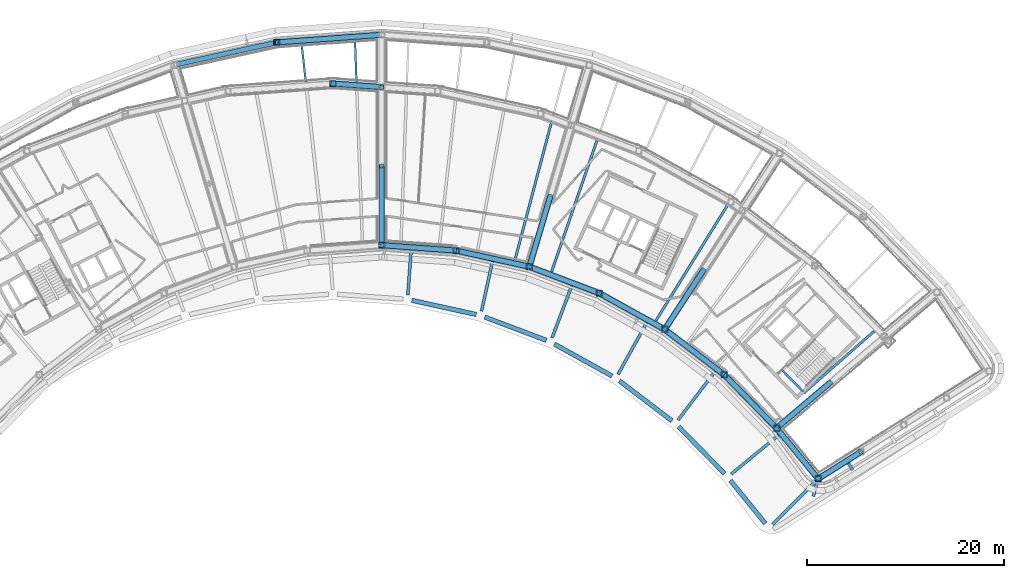
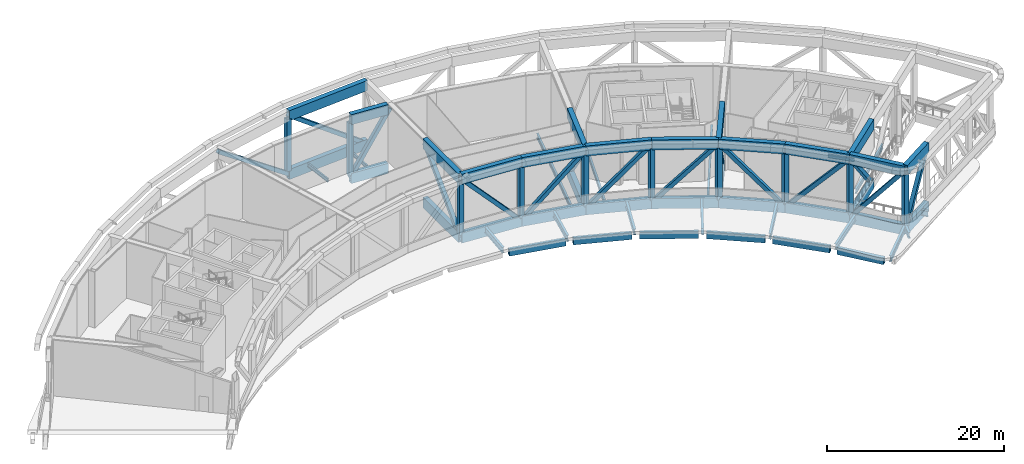
# One storey, part 3 of 27: 50 beams, 25 members.
"""IFC4 building model written with IfcOpenShell, lengths in metres."""

from ifc_helpers import new_model, si_unit, direction, frame, origin, origin_2d, place, context, subcontext, project, spatial, hollow_rectangle, i_section, extrude, material, material_profile, profile_set, type_object, element, save


model = new_model("IFC4")

# Units and contexts
model_context = context("Model", 3, precision=1e-05, world=origin(), true_north=direction((0.0, 1.0)))
body_context = subcontext(model_context, "Body", "Model", "MODEL_VIEW")
ifc_project = project(units=[si_unit("LENGTHUNIT", "METRE"), si_unit("AREAUNIT", "SQUARE_METRE"), si_unit("VOLUMEUNIT", "CUBIC_METRE"), si_unit("PLANEANGLEUNIT", "RADIAN"), si_unit("MASSUNIT", "GRAM", prefix="KILO")], contexts=[model_context])

# Site, building, storey
site_placement = place(None, origin())
site = spatial("IfcSite", under=ifc_project, at=site_placement, CompositionType="ELEMENT")
building_placement = place(site_placement, origin())
building = spatial("IfcBuilding", under=site, at=building_placement, Name="Tuul Gate Civic Tower", CompositionType="ELEMENT")
storey_placement = place(building_placement, frame((0.0, 0.0, 201.5)))
storey = spatial("IfcBuildingStorey", under=building, at=storey_placement, Name="Wind floor 1", CompositionType="ELEMENT", Elevation=201.5)

# Beams
ifc_material_1 = material(Name="Steel S355", Category="steel")
ifc_material_profile_1 = material_profile(ifc_material_1, i_section(OverallWidth=0.199951171875, OverallDepth=0.5, WebThickness=0.010009765625, FlangeThickness=0.01611328125, at=origin_2d()), Name="PG500x200x10x16")
ifc_profile_set_1 = profile_set([ifc_material_profile_1], Name="Steel S355")
beam_type_1 = type_object("IfcBeamType", Name="STR-FLOOR BEAM-PG500x200x10x16", PredefinedType="BEAM", material=ifc_profile_set_1)
beam_1_placement = place(storey_placement, frame((3.38037109375, 13.793701171875, -0.64990234375), z_axis=(-0.03702447859, 0.999314358941, 0.0), x_axis=(-0.999314358941, -0.03702447859, 0.0)))
element("IfcBeam", 1, at=beam_1_placement, inside=storey, type_object=beam_type_1, Name="Floor beam", PredefinedType="BEAM", context=body_context, shape_type="SweptSolid", body=[
    extrude(i_section(OverallWidth=0.199951171875, OverallDepth=0.5, WebThickness=0.010009765625, FlangeThickness=0.01611328125, at=origin_2d()), origin(), (0.0, 0.0, 1.0), 4.226806640625),
])
beam_2_placement = place(storey_placement, frame((-1.763427734375, 13.767333984375, -0.64990234375), z_axis=(-0.110818081723, 0.993840707942, 0.0), x_axis=(-0.993840707942, -0.110818081723, 0.0)))
element("IfcBeam", 2, at=beam_2_placement, inside=storey, type_object=beam_type_1, Name="Floor beam", PredefinedType="BEAM", context=body_context, shape_type="SweptSolid", body=[
    extrude(i_section(OverallWidth=0.199951171875, OverallDepth=0.5, WebThickness=0.010009765625, FlangeThickness=0.01611328125, at=origin_2d()), origin(), (0.0, 0.0, 1.0), 3.8818359375),
])
beam_3_placement = place(storey_placement, frame((46.539306640625, -15.4296875, 3.550048828125), z_axis=(0.700022587404, -0.714120702069, 0.0), x_axis=(0.714120702069, 0.700022587404, 0.0)))
element("IfcBeam", 3, at=beam_3_placement, inside=storey, type_object=beam_type_1, Name="Landing support beam", PredefinedType="BEAM", context=body_context, shape_type="SweptSolid", body=[
    extrude(i_section(OverallWidth=0.199951171875, OverallDepth=0.5, WebThickness=0.010009765625, FlangeThickness=0.01611328125, at=origin_2d()), origin(), (0.0, 0.0, 1.0), 3.099853515625),
])
ifc_material_2 = material(Name="Steel S355", Category="steel")
ifc_material_profile_2 = material_profile(ifc_material_2, i_section(OverallWidth=0.25, OverallDepth=0.64990234375, WebThickness=0.011962890625, FlangeThickness=0.02001953125, at=origin_2d()), Name="PG650x250x12x20")
ifc_profile_set_2 = profile_set([ifc_material_profile_2], Name="Steel S355")
beam_type_2 = type_object("IfcBeamType", Name="STR-FLOOR BEAM-PG650x250x12x20", PredefinedType="BEAM", material=ifc_profile_set_2)
beam_4_placement = place(storey_placement, frame((48.77197265625, -17.7919921875, -0.72509765625), z_axis=(0.752025818727, 0.659133649549, 0.0), x_axis=(-0.659133649549, 0.752025818727, 0.0)))
element("IfcBeam", 4, at=beam_4_placement, inside=storey, type_object=beam_type_2, Name="Floor beam", PredefinedType="BEAM", context=body_context, shape_type="SweptSolid", body=[
    extrude(i_section(OverallWidth=0.25, OverallDepth=0.64990234375, WebThickness=0.011962890625, FlangeThickness=0.02001953125, at=origin_2d()), origin(), (0.0, 0.0, 1.0), 9.503662109375),
])
beam_5_placement = place(storey_placement, frame((33.77587890625, -10.4453125, -0.72509765625), z_axis=(0.527012300617, 0.849857655727, 0.0), x_axis=(-0.849857655727, 0.527012300617, 0.0)))
element("IfcBeam", 5, at=beam_5_placement, inside=storey, type_object=beam_type_2, Name="Floor beam", PredefinedType="BEAM", context=body_context, shape_type="SweptSolid", body=[
    extrude(i_section(OverallWidth=0.25, OverallDepth=0.64990234375, WebThickness=0.011962890625, FlangeThickness=0.02001953125, at=origin_2d()), origin(), (0.0, 0.0, 1.0), 13.887939453125),
])
beam_6_placement = place(storey_placement, frame((23.19384765625, -5.456787109375, -0.72509765625), z_axis=(0.326931957614, 0.945047879787, 0.0), x_axis=(-0.945047879787, 0.326931957614, 0.0)))
element("IfcBeam", 6, at=beam_6_placement, inside=storey, type_object=beam_type_2, Name="Floor beam", PredefinedType="BEAM", context=body_context, shape_type="SweptSolid", body=[
    extrude(i_section(OverallWidth=0.25, OverallDepth=0.64990234375, WebThickness=0.011962890625, FlangeThickness=0.02001953125, at=origin_2d()), origin(), (0.0, 0.0, 1.0), 14.225830078125),
])
beam_7_placement = place(storey_placement, frame((19.465087890625, -4.292724609375, -0.72509765625), z_axis=(0.256154940617, 0.966635736148, 0.0), x_axis=(-0.966635736148, 0.256154940617, 0.0)))
element("IfcBeam", 7, at=beam_7_placement, inside=storey, type_object=beam_type_2, Name="Floor beam", PredefinedType="BEAM", context=body_context, shape_type="SweptSolid", body=[
    extrude(i_section(OverallWidth=0.25, OverallDepth=0.64990234375, WebThickness=0.011962890625, FlangeThickness=0.02001953125, at=origin_2d()), origin(), (0.0, 0.0, 1.0), 14.526123046875),
])
ifc_material_3 = material(Name="Steel S355", Category="steel")
ifc_material_profile_3 = material_profile(ifc_material_3, i_section(OverallWidth=0.300048828125, OverallDepth=0.800048828125, WebThickness=0.013916015625, FlangeThickness=0.02490234375, at=origin_2d()), Name="PG800x300x14x25")
ifc_profile_set_3 = profile_set([ifc_material_profile_3], Name="Steel S355")
beam_type_3 = type_object("IfcBeamType", Name="STR-FLOOR BEAM-PG800x300x14x25", PredefinedType="BEAM", material=ifc_profile_set_3)
beam_8_placement = place(storey_placement, frame((8.594482421875, -7.840087890625, -0.800048828125), z_axis=(0.072304464309, 0.997382606847, 0.0), x_axis=(-0.997382606847, 0.072304464309, 0.0)))
element("IfcBeam", 8, at=beam_8_placement, inside=storey, type_object=beam_type_3, Name="Terrace beam", PredefinedType="BEAM", context=body_context, shape_type="SweptSolid", body=[
    extrude(i_section(OverallWidth=0.300048828125, OverallDepth=0.800048828125, WebThickness=0.013916015625, FlangeThickness=0.02490234375, at=origin_2d()), origin(), (0.0, 0.0, 1.0), 4.544921875),
])
beam_9_placement = place(storey_placement, frame((16.07275390625, -9.483642578125, -0.800048828125), z_axis=(0.21529861874, 0.976548260338, 0.0), x_axis=(-0.976548260338, 0.21529861874, 0.0)))
element("IfcBeam", 9, at=beam_9_placement, inside=storey, type_object=beam_type_3, Name="Terrace beam", PredefinedType="BEAM", context=body_context, shape_type="SweptSolid", body=[
    extrude(i_section(OverallWidth=0.300048828125, OverallDepth=0.800048828125, WebThickness=0.013916015625, FlangeThickness=0.02490234375, at=origin_2d()), origin(), (0.0, 0.0, 1.0), 5.1494140625),
])
beam_10_placement = place(storey_placement, frame((23.236083984375, -12.18701171875, -0.800048828125), z_axis=(0.353702434092, 0.935357999975, 0.0), x_axis=(-0.935357999975, 0.353702434092, 0.0)))
element("IfcBeam", 10, at=beam_10_placement, inside=storey, type_object=beam_type_3, Name="Terrace beam", PredefinedType="BEAM", context=body_context, shape_type="SweptSolid", body=[
    extrude(i_section(OverallWidth=0.300048828125, OverallDepth=0.800048828125, WebThickness=0.013916015625, FlangeThickness=0.02490234375, at=origin_2d()), origin(), (0.0, 0.0, 1.0), 5.63037109375),
])
beam_11_placement = place(storey_placement, frame((29.93408203125, -15.89453125, -0.800048828125), z_axis=(0.484852198884, 0.87459610406, 0.0), x_axis=(-0.87459610406, 0.484852198884, 0.0)))
element("IfcBeam", 11, at=beam_11_placement, inside=storey, type_object=beam_type_3, Name="Terrace beam", PredefinedType="BEAM", context=body_context, shape_type="SweptSolid", body=[
    extrude(i_section(OverallWidth=0.300048828125, OverallDepth=0.800048828125, WebThickness=0.013916015625, FlangeThickness=0.02490234375, at=origin_2d()), origin(), (0.0, 0.0, 1.0), 5.978515625),
])
beam_12_placement = place(storey_placement, frame((36.029541015625, -20.529052734375, -0.800048828125), z_axis=(0.605806545549, 0.79561198418, 0.0), x_axis=(-0.79561198418, 0.605806545549, 0.0)))
element("IfcBeam", 12, at=beam_12_placement, inside=storey, type_object=beam_type_3, Name="Terrace beam", PredefinedType="BEAM", context=body_context, shape_type="SweptSolid", body=[
    extrude(i_section(OverallWidth=0.300048828125, OverallDepth=0.800048828125, WebThickness=0.013916015625, FlangeThickness=0.02490234375, at=origin_2d()), origin(), (0.0, 0.0, 1.0), 6.185546875),
])
beam_13_placement = place(storey_placement, frame((41.4189453125, -26.0234375, -0.800048828125), z_axis=(0.772999295398, 0.63440687994, 0.0), x_axis=(-0.63440687994, 0.772999295398, 0.0)))
element("IfcBeam", 13, at=beam_13_placement, inside=storey, type_object=beam_type_3, Name="Terrace beam", PredefinedType="BEAM", context=body_context, shape_type="SweptSolid", body=[
    extrude(i_section(OverallWidth=0.300048828125, OverallDepth=0.800048828125, WebThickness=0.013916015625, FlangeThickness=0.02490234375, at=origin_2d()), origin(), (0.0, 0.0, 1.0), 6.216552734375),
])
beam_14_placement = place(storey_placement, frame((45.609130859375, -31.1328125, -0.800048828125), z_axis=(0.707106781187, 0.707106781187, 0.0), x_axis=(-0.707106781187, 0.707106781187, 0.0)))
element("IfcBeam", 14, at=beam_14_placement, inside=storey, type_object=beam_type_3, Name="Terrace beam", PredefinedType="BEAM", context=body_context, shape_type="SweptSolid", body=[
    extrude(i_section(OverallWidth=0.300048828125, OverallDepth=0.800048828125, WebThickness=0.013916015625, FlangeThickness=0.02490234375, at=origin_2d()), origin(), (0.0, 0.0, 1.0), 6.25048828125),
])
beam_15_placement = place(storey_placement, frame((49.752197265625, -28.281982421875, -0.800048828125), z_axis=(0.264679569798, 0.964336417093, 0.0), x_axis=(-0.964336417093, 0.264679569798, 0.0)))
element("IfcBeam", 15, at=beam_15_placement, inside=storey, type_object=beam_type_3, Name="Terrace beam", PredefinedType="BEAM", context=body_context, shape_type="SweptSolid", body=[
    extrude(i_section(OverallWidth=0.300048828125, OverallDepth=0.800048828125, WebThickness=0.013916015625, FlangeThickness=0.02490234375, at=origin_2d()), origin(), (0.0, 0.0, 1.0), 1.546875),
])
beam_16_placement = place(storey_placement, frame((53.736328125, -25.601318359375, -0.800048828125), z_axis=(-0.532708188671, 0.8462989931, 0.0), x_axis=(-0.8462989931, -0.532708188671, 0.0)))
element("IfcBeam", 16, at=beam_16_placement, inside=storey, type_object=beam_type_3, Name="Terrace beam", PredefinedType="BEAM", context=body_context, shape_type="SweptSolid", body=[
    extrude(i_section(OverallWidth=0.300048828125, OverallDepth=0.800048828125, WebThickness=0.013916015625, FlangeThickness=0.02490234375, at=origin_2d()), origin(), (0.0, 0.0, 1.0), 0.801025390625),
])
ifc_material_4 = material(Name="Steel S355", Category="steel")
ifc_material_profile_4 = material_profile(ifc_material_4, hollow_rectangle(XDim=0.449951171875, YDim=0.89990234375, WallThickness=0.02490234375, at=origin_2d()), Name="BOX900x450x25")
ifc_profile_set_4 = profile_set([ifc_material_profile_4], Name="Steel S355")
beam_type_4 = type_object("IfcBeamType", Name="STR-SPANDREL BEAM-BOX900x450x25", PredefinedType="BEAM", material=ifc_profile_set_4)
beam_17_placement = place(storey_placement, frame((9.00146484375, -8.3857421875, -0.85009765625), z_axis=(0.976559873442, -0.215245937437, 0.0), x_axis=(0.215245937437, 0.976559873442, 0.0)))
element("IfcBeam", 17, at=beam_17_placement, inside=storey, type_object=beam_type_4, Name="Terrace edge beam", PredefinedType="BEAM", context=body_context, shape_type="SweptSolid", body=[
    extrude(hollow_rectangle(XDim=0.449951171875, YDim=0.89990234375, WallThickness=0.02490234375, at=origin_2d()), origin(), (0.0, 0.0, 1.0), 6.692138671875),
])
beam_18_placement = place(storey_placement, frame((16.39697265625, -10.082275390625, -0.85009765625), z_axis=(0.935376636167, -0.353653147184, 0.0), x_axis=(0.353653147184, 0.935376636167, 0.0)))
element("IfcBeam", 18, at=beam_18_placement, inside=storey, type_object=beam_type_4, Name="Terrace edge beam", PredefinedType="BEAM", context=body_context, shape_type="SweptSolid", body=[
    extrude(hollow_rectangle(XDim=0.449951171875, YDim=0.89990234375, WallThickness=0.02490234375, at=origin_2d()), origin(), (0.0, 0.0, 1.0), 6.69140625),
])
beam_19_placement = place(storey_placement, frame((23.470458984375, -12.826171875, -0.85009765625), z_axis=(0.874631898268, -0.484787626216, 0.0), x_axis=(0.484787626216, 0.874631898268, 0.0)))
element("IfcBeam", 19, at=beam_19_placement, inside=storey, type_object=beam_type_4, Name="Terrace edge beam", PredefinedType="BEAM", context=body_context, shape_type="SweptSolid", body=[
    extrude(hollow_rectangle(XDim=0.449951171875, YDim=0.89990234375, WallThickness=0.02490234375, at=origin_2d()), origin(), (0.0, 0.0, 1.0), 6.69091796875),
])
beam_20_placement = place(storey_placement, frame((30.073974609375, -16.560546875, -0.85009765625), z_axis=(0.795658602504, -0.605745316335, 0.0), x_axis=(0.605745316335, 0.795658602504, 0.0)))
element("IfcBeam", 20, at=beam_20_placement, inside=storey, type_object=beam_type_4, Name="Terrace edge beam", PredefinedType="BEAM", context=body_context, shape_type="SweptSolid", body=[
    extrude(hollow_rectangle(XDim=0.449951171875, YDim=0.89990234375, WallThickness=0.02490234375, at=origin_2d()), origin(), (0.0, 0.0, 1.0), 6.692626953125),
])
beam_21_placement = place(storey_placement, frame((36.072021484375, -21.20849609375, -0.85009765625), z_axis=(0.699975106634, -0.714167242383, 0.0), x_axis=(0.714167242383, 0.699975106634, 0.0)))
element("IfcBeam", 21, at=beam_21_placement, inside=storey, type_object=beam_type_4, Name="Terrace edge beam", PredefinedType="BEAM", context=body_context, shape_type="SweptSolid", body=[
    extrude(hollow_rectangle(XDim=0.449951171875, YDim=0.89990234375, WallThickness=0.02490234375, at=origin_2d()), origin(), (0.0, 0.0, 1.0), 6.69189453125),
])
beam_22_placement = place(storey_placement, frame((41.33642578125, -26.67236328125, -0.85009765625), z_axis=(0.629979061129, -0.77661211846, 0.0), x_axis=(0.77661211846, 0.629979061129, 0.0)))
element("IfcBeam", 22, at=beam_22_placement, inside=storey, type_object=beam_type_4, Name="Terrace edge beam", PredefinedType="BEAM", context=body_context, shape_type="SweptSolid", body=[
    extrude(hollow_rectangle(XDim=0.449951171875, YDim=0.89990234375, WallThickness=0.02490234375, at=origin_2d()), origin(), (0.0, 0.0, 1.0), 5.619384765625),
])
ifc_material_5 = material(Name="Steel S460", Category="steel")
ifc_material_profile_5 = material_profile(ifc_material_5, hollow_rectangle(XDim=0.60009765625, YDim=1.39990234375, WallThickness=0.031982421875, at=origin_2d()), Name="BOX1400x600x32")
ifc_profile_set_5 = profile_set([ifc_material_profile_5], Name="Steel S460")
beam_type_5 = type_object("IfcBeamType", Name="STR-TRANSFER TRUSS CHORD-BOX1400x600x32", PredefinedType="BEAM", material=ifc_profile_set_5)
for number, where, z_axis, x_axis, name in (
    (23, (38.602783203125, -5.309814453125, -1.10009765625), (-0.546717594583, -0.837317067647, 0.0), (0.837317067647, -0.546717594583, 0.0), "Radial truss bottom chord"),
    (24, (38.602783203125, -5.309814453125, 7.0), (-0.546717594583, -0.837317067647, 0.0), (0.837317067647, -0.546717594583, 0.0), "Radial truss top chord"),
):
    element("IfcBeam", number, at=place(storey_placement, frame(where, z_axis=z_axis, x_axis=x_axis)), inside=storey, type_object=beam_type_5, Name=name, PredefinedType="BEAM", context=body_context, shape_type="SweptSolid", body=[
        extrude(hollow_rectangle(XDim=0.60009765625, YDim=1.39990234375, WallThickness=0.031982421875, at=origin_2d()), origin(), (0.0, 0.0, 1.0), 7.20068359375),
    ])
for number, where, z_axis, x_axis, name in (
    (25, (51.489501953125, -16.7236328125, -1.10009765625), (-0.762831822754, -0.646596945704, 0.0), (0.646596945704, -0.762831822754, 0.0), "Radial truss bottom chord"),
    (26, (51.489501953125, -16.7236328125, 7.0), (-0.762831822754, -0.646596945704, 0.0), (0.646596945704, -0.762831822754, 0.0), "Radial truss top chord"),
):
    element("IfcBeam", number, at=place(storey_placement, frame(where, z_axis=z_axis, x_axis=x_axis)), inside=storey, type_object=beam_type_5, Name=name, PredefinedType="BEAM", context=body_context, shape_type="SweptSolid", body=[
        extrude(hollow_rectangle(XDim=0.60009765625, YDim=1.39990234375, WallThickness=0.031982421875, at=origin_2d()), origin(), (0.0, 0.0, 1.0), 7.168701171875),
    ])
for number, where, z_axis, x_axis, name in (
    (27, (23.058349609375, 2.19580078125, -1.10009765625), (-0.28522396587, -0.958460896069, 0.0), (0.958460896069, -0.28522396587, 0.0), "Radial truss bottom chord"),
    (28, (23.058349609375, 2.19580078125, 7.0), (-0.28522396587, -0.958460896069, 0.0), (0.958460896069, -0.28522396587, 0.0), "Radial truss top chord"),
):
    element("IfcBeam", number, at=place(storey_placement, frame(where, z_axis=z_axis, x_axis=x_axis)), inside=storey, type_object=beam_type_5, Name=name, PredefinedType="BEAM", context=body_context, shape_type="SweptSolid", body=[
        extrude(hollow_rectangle(XDim=0.60009765625, YDim=1.39990234375, WallThickness=0.031982421875, at=origin_2d()), origin(), (0.0, 0.0, 1.0), 7.4794921875),
    ])
for number, where, z_axis, x_axis, name in (
    (29, (5.93994140625, 5.233642578125, -1.10009765625), (0.0, -1.0, 0.0), (1.0, 0.0, 0.0), "Radial truss bottom chord"),
    (30, (5.93994140625, 5.233642578125, 7.0), (0.0, -1.0, 0.0), (1.0, 0.0, 0.0), "Radial truss top chord"),
):
    element("IfcBeam", number, at=place(storey_placement, frame(where, z_axis=z_axis, x_axis=x_axis)), inside=storey, type_object=beam_type_5, Name=name, PredefinedType="BEAM", context=body_context, shape_type="SweptSolid", body=[
        extrude(hollow_rectangle(XDim=0.60009765625, YDim=1.39990234375, WallThickness=0.031982421875, at=origin_2d()), origin(), (0.0, 0.0, 1.0), 8.023681640625),
    ])
for number, where, z_axis, x_axis, name in (
    (31, (5.93994140625, 18.56494140625, -1.10009765625), (-0.997389762065, -0.072205695947, 0.0), (0.072205695947, -0.997389762065, 0.0), "Belt truss bottom chord"),
    (32, (5.93994140625, 18.56494140625, 7.0), (-0.997389762065, -0.072205695947, 0.0), (0.072205695947, -0.997389762065, 0.0), "Belt truss top chord"),
):
    element("IfcBeam", number, at=place(storey_placement, frame(where, z_axis=z_axis, x_axis=x_axis)), inside=storey, type_object=beam_type_5, Name=name, PredefinedType="BEAM", context=body_context, shape_type="SweptSolid", body=[
        extrude(hollow_rectangle(XDim=0.60009765625, YDim=1.39990234375, WallThickness=0.031982421875, at=origin_2d()), origin(), (0.0, 0.0, 1.0), 10.677734375),
    ])
for number, where, z_axis, x_axis, name in (
    (33, (5.639892578125, 13.27880859375, -1.10009765625), (-0.997381567186, 0.072318804173, 0.0), (-0.072318804173, -0.997381567186, 0.0), "Belt truss bottom chord"),
    (34, (5.639892578125, 13.27880859375, 7.0), (-0.997381567186, 0.072318804173, 0.0), (-0.072318804173, -0.997381567186, 0.0), "Belt truss top chord"),
):
    element("IfcBeam", number, at=place(storey_placement, frame(where, z_axis=z_axis, x_axis=x_axis)), inside=storey, type_object=beam_type_5, Name=name, PredefinedType="BEAM", context=body_context, shape_type="SweptSolid", body=[
        extrude(hollow_rectangle(XDim=0.60009765625, YDim=1.39990234375, WallThickness=0.031982421875, at=origin_2d()), origin(), (0.0, 0.0, 1.0), 4.662109375),
    ])
for number, where, z_axis, x_axis, name in (
    (35, (28.02587890625, -7.657958984375, -1.10009765625), (0.874593766126, -0.484856416121, 0.0), (0.484856416121, 0.874593766126, 0.0), "Belt truss bottom chord"),
    (36, (28.02587890625, -7.657958984375, 7.0), (0.874593766126, -0.484856416121, 0.0), (0.484856416121, 0.874593766126, 0.0), "Belt truss top chord"),
):
    element("IfcBeam", number, at=place(storey_placement, frame(where, z_axis=z_axis, x_axis=x_axis)), inside=storey, type_object=beam_type_5, Name=name, PredefinedType="BEAM", context=body_context, shape_type="SweptSolid", body=[
        extrude(hollow_rectangle(XDim=0.60009765625, YDim=1.39990234375, WallThickness=0.031982421875, at=origin_2d()), origin(), (0.0, 0.0, 1.0), 7.59228515625),
    ])
for number, where, z_axis, x_axis, name in (
    (37, (5.93994140625, -2.7900390625, -1.10009765625), (0.997381233603, -0.072323404623, 0.0), (0.072323404623, 0.997381233603, 0.0), "Belt truss bottom chord"),
    (38, (5.93994140625, -2.7900390625, 7.0), (0.997381233603, -0.072323404623, 0.0), (0.072323404623, 0.997381233603, 0.0), "Belt truss top chord"),
    (39, (40.7060546875, -15.93798828125, -1.10009765625), (0.700093917224, -0.714050773451, 0.0), (0.714050773451, 0.700093917224, 0.0), "Belt truss bottom chord"),
    (40, (40.7060546875, -15.93798828125, 7.0), (0.700093917224, -0.714050773451, 0.0), (0.714050773451, 0.700093917224, 0.0), "Belt truss top chord"),
):
    element("IfcBeam", number, at=place(storey_placement, frame(where, z_axis=z_axis, x_axis=x_axis)), inside=storey, type_object=beam_type_5, Name=name, PredefinedType="BEAM", context=body_context, shape_type="SweptSolid", body=[
        extrude(hollow_rectangle(XDim=0.60009765625, YDim=1.39990234375, WallThickness=0.031982421875, at=origin_2d()), origin(), (0.0, 0.0, 1.0), 7.591796875),
    ])
for number, where, z_axis, x_axis, name in (
    (41, (20.925048828125, -4.972900390625, -1.10009765625), (0.935362186019, -0.353691363996, 0.0), (0.353691363996, 0.935362186019, 0.0), "Belt truss bottom chord"),
    (42, (20.925048828125, -4.972900390625, 7.0), (0.935362186019, -0.353691363996, 0.0), (0.353691363996, 0.935362186019, 0.0), "Belt truss top chord"),
    (43, (34.666015625, -11.339111328125, -1.10009765625), (0.795625835802, -0.605788353638, 0.0), (0.605788353638, 0.795625835802, 0.0), "Belt truss bottom chord"),
    (44, (34.666015625, -11.339111328125, 7.0), (0.795625835802, -0.605788353638, 0.0), (0.605788353638, 0.795625835802, 0.0), "Belt truss top chord"),
):
    element("IfcBeam", number, at=place(storey_placement, frame(where, z_axis=z_axis, x_axis=x_axis)), inside=storey, type_object=beam_type_5, Name=name, PredefinedType="BEAM", context=body_context, shape_type="SweptSolid", body=[
        extrude(hollow_rectangle(XDim=0.60009765625, YDim=1.39990234375, WallThickness=0.031982421875, at=origin_2d()), origin(), (0.0, 0.0, 1.0), 7.591552734375),
    ])
for number, where, z_axis, x_axis, name in (
    (45, (13.511962890625, -3.339111328125, -1.10009765625), (0.976563950549, -0.215227438976, 0.0), (0.215227438976, 0.976563950549, 0.0), "Belt truss bottom chord"),
    (46, (13.511962890625, -3.339111328125, 7.0), (0.976563950549, -0.215227438976, 0.0), (0.215227438976, 0.976563950549, 0.0), "Belt truss top chord"),
):
    element("IfcBeam", number, at=place(storey_placement, frame(where, z_axis=z_axis, x_axis=x_axis)), inside=storey, type_object=beam_type_5, Name=name, PredefinedType="BEAM", context=body_context, shape_type="SweptSolid", body=[
        extrude(hollow_rectangle(XDim=0.60009765625, YDim=1.39990234375, WallThickness=0.031982421875, at=origin_2d()), origin(), (0.0, 0.0, 1.0), 7.591064453125),
    ])
for number, where, z_axis, x_axis, name in (
    (47, (46.02099609375, -21.35888671875, -1.10009765625), (0.634390286361, -0.773012913586, 0.0), (0.773012913586, 0.634390286361, 0.0), "Belt truss bottom chord"),
    (48, (46.02099609375, -21.35888671875, 7.0), (0.634390286361, -0.773012913586, 0.0), (0.773012913586, 0.634390286361, 0.0), "Belt truss top chord"),
):
    element("IfcBeam", number, at=place(storey_placement, frame(where, z_axis=z_axis, x_axis=x_axis)), inside=storey, type_object=beam_type_5, Name=name, PredefinedType="BEAM", context=body_context, shape_type="SweptSolid", body=[
        extrude(hollow_rectangle(XDim=0.60009765625, YDim=1.39990234375, WallThickness=0.031982421875, at=origin_2d()), origin(), (0.0, 0.0, 1.0), 6.652099609375),
    ])
for number, where, z_axis, x_axis, name in (
    (49, (50.240966796875, -26.5009765625, -1.10009765625), (0.84623204551, 0.532814531663, 0.0), (-0.532814531663, 0.84623204551, 0.0), "Belt truss bottom chord"),
    (50, (50.240966796875, -26.5009765625, 7.0), (0.84623204551, 0.532814531663, 0.0), (-0.532814531663, 0.84623204551, 0.0), "Belt truss top chord"),
):
    element("IfcBeam", number, at=place(storey_placement, frame(where, z_axis=z_axis, x_axis=x_axis)), inside=storey, type_object=beam_type_5, Name=name, PredefinedType="BEAM", context=body_context, shape_type="SweptSolid", body=[
        extrude(hollow_rectangle(XDim=0.60009765625, YDim=1.39990234375, WallThickness=0.031982421875, at=origin_2d()), origin(), (0.0, 0.0, 1.0), 5.131103515625),
    ])

# Members
ifc_material_6 = material(Name="Steel S355", Category="steel")
ifc_material_profile_6 = material_profile(ifc_material_6, hollow_rectangle(XDim=0.5, YDim=0.5, WallThickness=0.02001953125, at=origin_2d()), Name="BOX500x500x20")
ifc_profile_set_6 = profile_set([ifc_material_profile_6], Name="Steel S355")
member_type_1 = type_object("IfcMemberType", Name="STR-TRANSFER TRUSS DIAGONAL-BOX500x500x20", PredefinedType="BRACE", material=ifc_profile_set_6)
member_1_placement = place(storey_placement, frame((38.6044921875, -5.30712890625, -1.103759765625), z_axis=(-0.36324731629, -0.556304037426, 0.747380227965), x_axis=(0.837307215593, -0.546732683051, 0.0)))
element("IfcMember", 51, at=member_1_placement, inside=storey, type_object=member_type_1, Name="Radial truss web", PredefinedType="BRACE", context=body_context, shape_type="SweptSolid", body=[
    extrude(hollow_rectangle(XDim=0.5, YDim=0.5, WallThickness=0.02001953125, at=origin_2d()), origin(), (0.0, 0.0, 1.0), 10.847900390625),
])
member_2_placement = place(storey_placement, frame((51.4921875, -16.721435546875, -1.103759765625), z_axis=(-0.50556829933, -0.428537910815, 0.748836399828), x_axis=(0.646600902187, -0.762828469114, 0.0)))
element("IfcMember", 52, at=member_2_placement, inside=storey, type_object=member_type_1, Name="Radial truss web", PredefinedType="BRACE", context=body_context, shape_type="SweptSolid", body=[
    extrude(hollow_rectangle(XDim=0.5, YDim=0.5, WallThickness=0.02001953125, at=origin_2d()), origin(), (0.0, 0.0, 1.0), 10.82666015625),
])
member_3_placement = place(storey_placement, frame((23.059326171875, 2.198974609375, -1.103759765625), z_axis=(-0.193495770323, -0.650221894558, 0.734691006277), x_axis=(0.958461206371, -0.285222923134, 0.0)))
element("IfcMember", 53, at=member_3_placement, inside=storey, type_object=member_type_1, Name="Radial truss web", PredefinedType="BRACE", context=body_context, shape_type="SweptSolid", body=[
    extrude(hollow_rectangle(XDim=0.5, YDim=0.5, WallThickness=0.02001953125, at=origin_2d()), origin(), (0.0, 0.0, 1.0), 11.03515625),
])
member_4_placement = place(storey_placement, frame((5.93994140625, -2.79345703125, -1.103515625), z_axis=(0.0, 0.703739816253, 0.710457789752), x_axis=(-1.0, 0.0, 0.0)))
element("IfcMember", 54, at=member_4_placement, inside=storey, type_object=member_type_1, Name="Radial truss web", PredefinedType="BRACE", context=body_context, shape_type="SweptSolid", body=[
    extrude(hollow_rectangle(XDim=0.5, YDim=0.5, WallThickness=0.02001953125, at=origin_2d()), origin(), (0.0, 0.0, 1.0), 11.4111328125),
])
member_5_placement = place(storey_placement, frame((5.944091796875, 18.565185546875, -1.10302734375), z_axis=(-0.794631772563, -0.057520018355, 0.604360648555), x_axis=(0.072196854214, -0.99739040212, 0.0)))
element("IfcMember", 55, at=member_5_placement, inside=storey, type_object=member_type_1, Name="Belt truss web", PredefinedType="BRACE", context=body_context, shape_type="SweptSolid", body=[
    extrude(hollow_rectangle(XDim=0.5, YDim=0.5, WallThickness=0.02001953125, at=origin_2d()), origin(), (0.0, 0.0, 1.0), 13.412353515625),
])
member_6_placement = place(storey_placement, frame((-4.7060546875, 17.794921875, -1.10302734375), z_axis=(-0.778022384165, -0.171474014619, 0.60438219038), x_axis=(0.215231822232, -0.976562984502, 0.0)))
element("IfcMember", 56, at=member_6_placement, inside=storey, type_object=member_type_1, Name="Belt truss web", PredefinedType="BRACE", context=body_context, shape_type="SweptSolid", body=[
    extrude(hollow_rectangle(XDim=0.5, YDim=0.5, WallThickness=0.02001953125, at=origin_2d()), origin(), (0.0, 0.0, 1.0), 13.411865234375),
])
member_7_placement = place(storey_placement, frame((0.9873046875, 13.6162109375, -1.104248046875), z_axis=(0.521092559946, -0.037765539522, 0.852664241067), x_axis=(0.072284178824, 0.99738407722, 0.0)))
element("IfcMember", 57, at=member_7_placement, inside=storey, type_object=member_type_1, Name="Belt truss web", PredefinedType="BRACE", context=body_context, shape_type="SweptSolid", body=[
    extrude(hollow_rectangle(XDim=0.5, YDim=0.5, WallThickness=0.02001953125, at=origin_2d()), origin(), (0.0, 0.0, 1.0), 9.509521484375),
])
for number, where, z_axis, x_axis, name in (
    (58, (28.02294921875, -7.65625, -1.103759765625), (0.598098415664, -0.331566497347, 0.729617669068), (0.484848918238, 0.874597922753, 0.0), "Belt truss web"),
    (59, (13.515380859375, -3.33935546875, -1.103759765625), (-0.682056850322, 0.049457525693, 0.729624839271), (-0.072322433891, -0.997381303994, 0.0), "Belt truss web"),
    (60, (40.70361328125, -15.935546875, -1.103759765625), (0.478758719272, -0.48829434498, 0.72962916703), (0.714044494618, 0.700100321172, 0.0), "Belt truss web"),
):
    element("IfcMember", number, at=place(storey_placement, frame(where, z_axis=z_axis, x_axis=x_axis)), inside=storey, type_object=member_type_1, Name=name, PredefinedType="BRACE", context=body_context, shape_type="SweptSolid", body=[
        extrude(hollow_rectangle(XDim=0.5, YDim=0.5, WallThickness=0.02001953125, at=origin_2d()), origin(), (0.0, 0.0, 1.0), 11.11181640625),
    ])
for number, where, z_axis, x_axis, name in (
    (61, (20.921875, -4.9716796875, -1.103759765625), (0.639637915912, -0.241863636245, 0.729633687538), (0.353685472239, 0.935364413866, 0.0), "Belt truss web"),
    (62, (40.708740234375, -15.940185546875, -1.103759765625), (-0.544063576308, 0.414276663084, 0.729636670788), (-0.605813761503, -0.79560648965, 0.0), "Belt truss web"),
):
    element("IfcMember", number, at=place(storey_placement, frame(where, z_axis=z_axis, x_axis=x_axis)), inside=storey, type_object=member_type_1, Name=name, PredefinedType="BRACE", context=body_context, shape_type="SweptSolid", body=[
        extrude(hollow_rectangle(XDim=0.5, YDim=0.5, WallThickness=0.02001953125, at=origin_2d()), origin(), (0.0, 0.0, 1.0), 11.111572265625),
    ])
member_8_placement = place(storey_placement, frame((13.508544921875, -3.33837890625, -1.103759765625), z_axis=(0.667773234446, -0.147173344882, 0.72967041458), x_axis=(0.215228952848, 0.976563616902, 0.0)))
element("IfcMember", 63, at=member_8_placement, inside=storey, type_object=member_type_1, Name="Belt truss web", PredefinedType="BRACE", context=body_context, shape_type="SweptSolid", body=[
    extrude(hollow_rectangle(XDim=0.5, YDim=0.5, WallThickness=0.02001953125, at=origin_2d()), origin(), (0.0, 0.0, 1.0), 11.111083984375),
])
member_9_placement = place(storey_placement, frame((46.01904296875, -21.3564453125, -1.103759765625), z_axis=(0.402608798039, -0.49059584303, 0.772801316344), x_axis=(0.773020347852, 0.634381227502, 0.0)))
element("IfcMember", 64, at=member_9_placement, inside=storey, type_object=member_type_1, Name="Belt truss web", PredefinedType="BRACE", context=body_context, shape_type="SweptSolid", body=[
    extrude(hollow_rectangle(XDim=0.5, YDim=0.5, WallThickness=0.02001953125, at=origin_2d()), origin(), (0.0, 0.0, 1.0), 10.4912109375),
])
member_10_placement = place(storey_placement, frame((50.23876953125, -26.50244140625, -1.104248046875), z_axis=(0.452832839438, 0.285134872218, 0.844772468877), x_axis=(-0.532837222396, 0.84621775828, 0.0)))
element("IfcMember", 65, at=member_10_placement, inside=storey, type_object=member_type_1, Name="Belt truss web", PredefinedType="BRACE", context=body_context, shape_type="SweptSolid", body=[
    extrude(hollow_rectangle(XDim=0.5, YDim=0.5, WallThickness=0.02001953125, at=origin_2d()), origin(), (0.0, 0.0, 1.0), 9.598388671875),
])
ifc_material_7 = material(Name="Steel S355", Category="steel")
ifc_material_profile_7 = material_profile(ifc_material_7, hollow_rectangle(XDim=0.60009765625, YDim=0.60009765625, WallThickness=0.028076171875, at=origin_2d()), Name="BOX600x600x28")
ifc_profile_set_7 = profile_set([ifc_material_profile_7], Name="Steel S355")
member_type_2 = type_object("IfcMemberType", Name="STR-TRUSS POST-BOX600x600x28", PredefinedType="POST", material=ifc_profile_set_7)
for number, where, z_axis, x_axis, name in (
    (66, (34.666015625, -11.339111328125, -0.64501953125), (0.0, 0.0, 1.0), (1.0, 0.0, 0.0), "Radial truss post"),
    (67, (46.02099609375, -21.35888671875, -0.64501953125), (0.0, 0.0, 1.0), (1.0, 0.0, 0.0), "Radial truss post"),
    (68, (20.925048828125, -4.972900390625, -0.64501953125), (0.0, 0.0, 1.0), (1.0, 0.0, 0.0), "Radial truss post"),
    (69, (5.93994140625, -2.7900390625, -0.64501953125), (0.0, 0.0, 1.0), (1.0, 0.0, 0.0), "Radial truss post"),
    (70, (0.989990234375, 13.615966796875, -0.64501953125), (0.0, 0.0, 1.0), (1.0, 0.0, 0.0), "Belt truss post"),
    (71, (-4.7099609375, 17.7939453125, -0.64501953125), (0.0, 0.0, 1.0), (1.0, 0.0, 0.0), "Belt truss post"),
    (72, (28.02587890625, -7.657958984375, -0.64501953125), (0.0, 0.0, 1.0), (1.0, 0.0, 0.0), "Belt truss post"),
    (73, (13.511962890625, -3.339111328125, -0.64501953125), (0.0, 0.0, 1.0), (1.0, 0.0, 0.0), "Belt truss post"),
    (74, (40.7060546875, -15.93798828125, -0.64501953125), (0.0, 0.0, 1.0), (1.0, 0.0, 0.0), "Belt truss post"),
    (75, (50.240966796875, -26.5009765625, -0.64501953125), (0.0, 0.0, 1.0), (1.0, 0.0, 0.0), "Belt truss post"),
):
    element("IfcMember", number, at=place(storey_placement, frame(where, z_axis=z_axis, x_axis=x_axis)), inside=storey, type_object=member_type_2, Name=name, PredefinedType="POST", context=body_context, shape_type="SweptSolid", body=[
        extrude(hollow_rectangle(XDim=0.60009765625, YDim=0.60009765625, WallThickness=0.028076171875, at=origin_2d()), origin(), (0.0, 0.0, 1.0), 7.18994140625),
    ])

save(model, "model.ifc")
